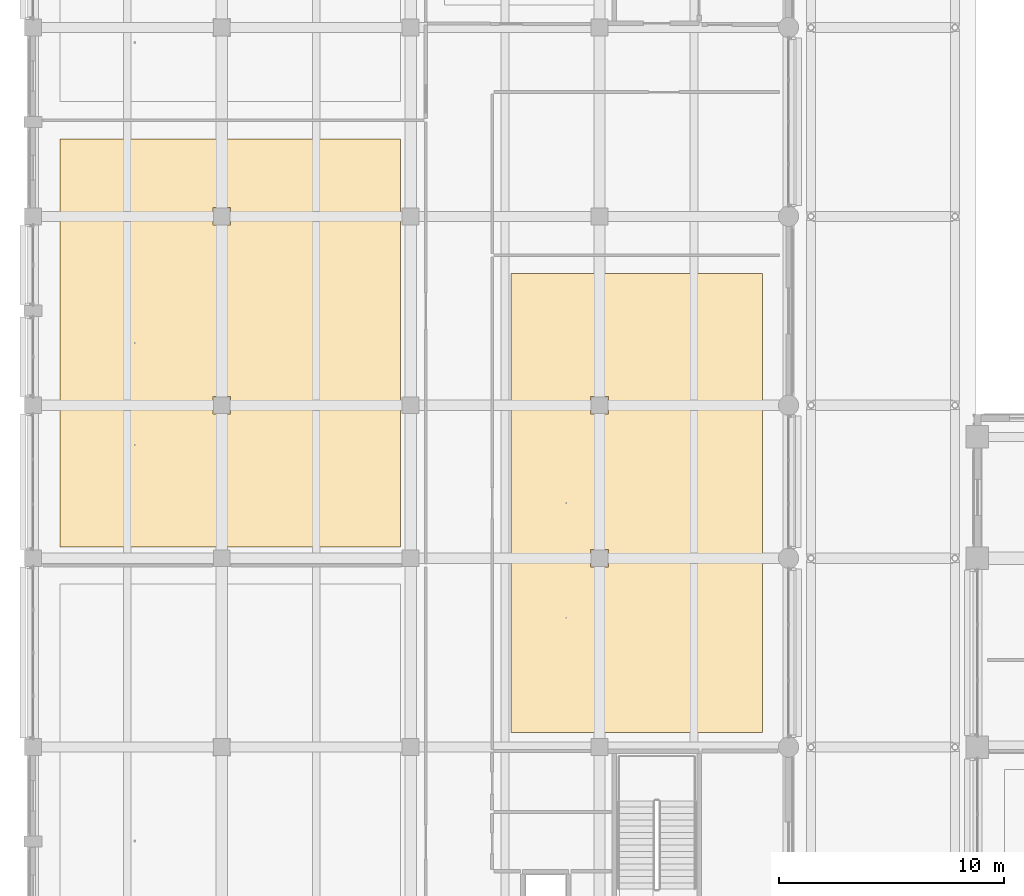
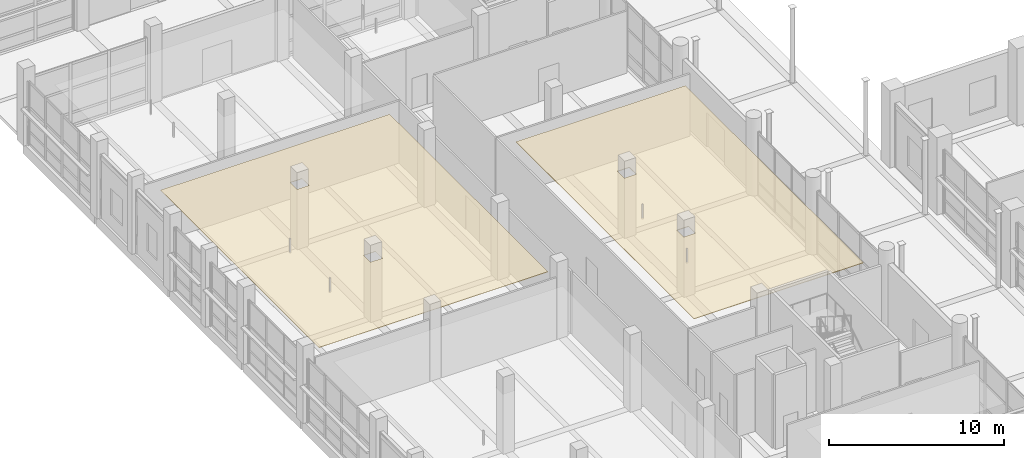
# One storey, part 105 of 140: 2 coverings.
"""IFC4 building model written with IfcOpenShell, lengths in metres."""

from ifc_helpers import new_model, si_unit, direction, frame, origin, place, context, subcontext, project, spatial, polyline, outline, extrude, material, layer, layer_set, type_object, element, save


model = new_model("IFC4")

# Units and contexts
model_context = context("Model", 3, precision=1e-05, world=origin(), true_north=direction((0.0, 1.0)))
body_context = subcontext(model_context, "Body", "Model", "MODEL_VIEW")
ifc_project = project(units=[si_unit("LENGTHUNIT", "METRE"), si_unit("AREAUNIT", "SQUARE_METRE"), si_unit("VOLUMEUNIT", "CUBIC_METRE"), si_unit("PLANEANGLEUNIT", "RADIAN"), si_unit("MASSUNIT", "GRAM", prefix="KILO")], contexts=[model_context])

# Site, building, storey
site_placement = place(None, origin())
site = spatial("IfcSite", under=ifc_project, at=site_placement, CompositionType="ELEMENT")
building_placement = place(site_placement, origin())
building = spatial("IfcBuilding", under=site, at=building_placement, Name="Telukmera Botanical Conservatory", CompositionType="ELEMENT")
storey_placement = place(building_placement, origin())
storey = spatial("IfcBuildingStorey", under=building, at=storey_placement, Name="L00", CompositionType="ELEMENT", Elevation=0.0)

# Coverings
ifc_material_1 = material(Name="Mineral fibre acoustic ceiling")
ifc_layer_1 = layer(ifc_material_1, 0.030029296875)
ifc_layer_set_1 = layer_set([ifc_layer_1], Name="Mineral fibre acoustic ceiling")
covering_type_1 = type_object("IfcCoveringType", Name="COV-CEIL-30", PredefinedType="CEILING", material=ifc_layer_set_1)
covering_1_placement = place(storey_placement, frame((0.0, 0.0, 4.219970703125)))
element("IfcCovering", 1, at=covering_1_placement, inside=storey, type_object=covering_type_1, Name="L00 Visitor Centre Exhibition Gallery Suspended Acoustic Ceiling", PredefinedType="CEILING", context=body_context, shape_type="SweptSolid", body=[
    extrude(outline(polyline([(9.60009765625, 43.300048828125), (24.7548828125, 43.300048828125), (24.7548828125, 61.449951171875), (9.60009765625, 61.449951171875), (9.60009765625, 43.300048828125)]), holes=[polyline([(16.405029296875, 49.205078125), (17.195068359375, 49.205078125), (17.195068359375, 49.9951171875), (16.405029296875, 49.9951171875), (16.405029296875, 49.205078125)]), polyline([(16.405029296875, 57.60498046875), (17.195068359375, 57.60498046875), (17.195068359375, 58.39501953125), (16.405029296875, 58.39501953125), (16.405029296875, 57.60498046875)])]), origin(), (0.0, 0.0, 1.0), 0.030029296875),
])
ifc_material_2 = material(Name="Perforated gypsum acoustic ceiling")
ifc_layer_2 = layer(ifc_material_2, 0.0400390625)
ifc_layer_set_2 = layer_set([ifc_layer_2], Name="Perforated gypsum acoustic ceiling")
covering_type_2 = type_object("IfcCoveringType", Name="COV-CEIL-40", PredefinedType="CEILING", material=ifc_layer_set_2)
covering_2_placement = place(storey_placement, frame((0.0, 0.0, 4.2099609375)))
element("IfcCovering", 2, at=covering_2_placement, inside=storey, type_object=covering_type_2, Name="L00 Monsoon Court Cafe Suspended Acoustic Ceiling", PredefinedType="CEILING", context=body_context, shape_type="SweptSolid", body=[
    extrude(outline(polyline([(29.64990234375, 35.050048828125), (40.85009765625, 35.050048828125), (40.85009765625, 55.449951171875), (29.64990234375, 55.449951171875), (29.64990234375, 35.050048828125)]), holes=[polyline([(33.205078125, 42.405029296875), (33.9951171875, 42.405029296875), (33.9951171875, 43.195068359375), (33.205078125, 43.195068359375), (33.205078125, 42.405029296875)]), polyline([(33.205078125, 49.205078125), (33.9951171875, 49.205078125), (33.9951171875, 49.9951171875), (33.205078125, 49.9951171875), (33.205078125, 49.205078125)])]), origin(), (0.0, 0.0, 1.0), 0.0400390625),
])

save(model, "model.ifc")
